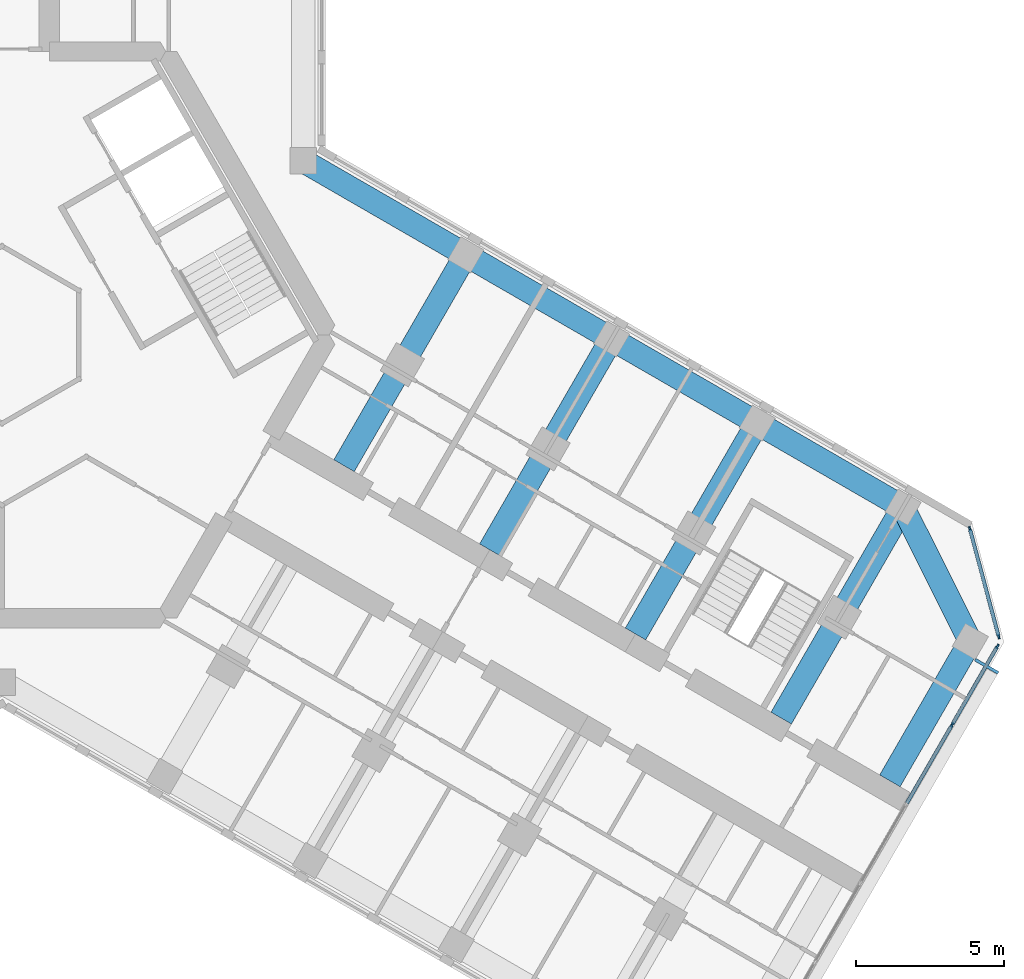
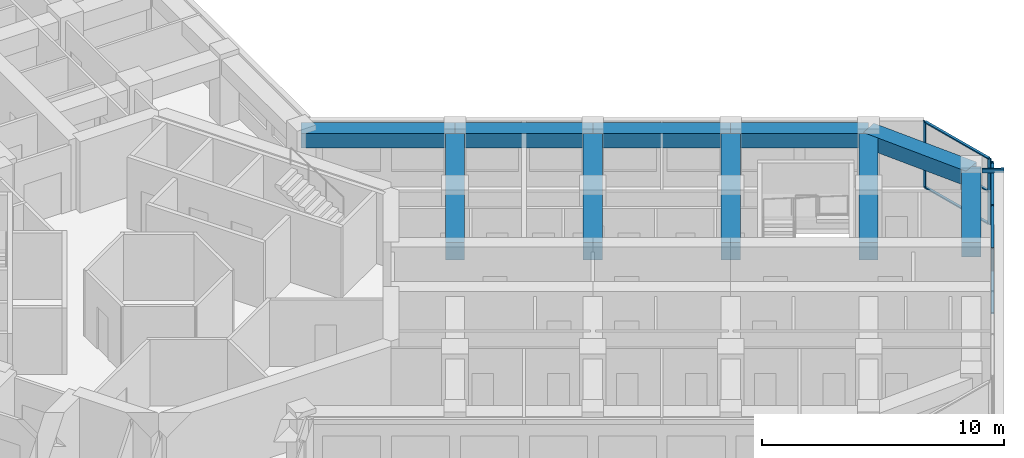
# One storey, part 5 of 17: 12 members, 10 beams, 2 elements without a shape of their own.
"""IFC4 building model written with IfcOpenShell, lengths in metres."""

from ifc_helpers import new_model, si_unit, direction, frame, origin, origin_2d, place, context, subcontext, project, spatial, rectangle, hollow_rectangle, extrude, material, material_profile, profile_set, type_object, element, aggregate, save


model = new_model("IFC4")

# Units and contexts
model_context = context("Model", 3, precision=1e-05, world=origin(), true_north=direction((0.0, 1.0)))
body_context = subcontext(model_context, "Body", "Model", "MODEL_VIEW")
ifc_project = project(units=[si_unit("LENGTHUNIT", "METRE"), si_unit("AREAUNIT", "SQUARE_METRE"), si_unit("VOLUMEUNIT", "CUBIC_METRE"), si_unit("PLANEANGLEUNIT", "RADIAN"), si_unit("MASSUNIT", "GRAM", prefix="KILO")], contexts=[model_context])

# Site, building, storey
site_placement = place(None, origin())
site = spatial("IfcSite", under=ifc_project, at=site_placement, CompositionType="ELEMENT")
building_placement = place(site_placement, origin())
building = spatial("IfcBuilding", under=site, at=building_placement, Name="Kosmar Iwan School Tower", CompositionType="ELEMENT")
storey_placement = place(building_placement, frame((0.0, 0.0, 193.800048828125)))
storey = spatial("IfcBuildingStorey", under=building, at=storey_placement, Name="L48", CompositionType="ELEMENT", Elevation=193.800048828125)

# Member
ifc_material_1 = material(Name="Steel S355", Category="steel")
ifc_material_profile_1 = material_profile(ifc_material_1, hollow_rectangle(XDim=0.10009765625, YDim=0.199951171875, WallThickness=0.008056640625, at=origin_2d()), Name="RHS 200x100x8")
ifc_profile_set_1 = profile_set([ifc_material_profile_1], Name="Steel S355")
member_type_1 = type_object("IfcMemberType", Name="Fin bracket RHS 200x100", PredefinedType="USERDEFINED", material=ifc_profile_set_1)
member_1_placement = place(storey_placement, frame((32.963134765625, -11.006103515625, 3.474853515625), z_axis=(0.866081705922, -0.499902469156, 0.0), x_axis=(0.499902469156, 0.866081705922, 0.0)))
element("IfcMember", 1, at=member_1_placement, inside=storey, type_object=member_type_1, Name="Fin bracket L49", ObjectType="FIN BRACKET", PredefinedType="USERDEFINED", context=body_context, shape_type="SweptSolid", body=[
    extrude(hollow_rectangle(XDim=0.10009765625, YDim=0.199951171875, WallThickness=0.008056640625, at=origin_2d()), origin(), (0.0, 0.0, 1.0), 0.900146484375),
])

# Curtain wall, members
ifc_material_2 = material(Name="Dark glass in black aluminium frame", Category="aluminium")
curtain_wall_type_1 = type_object("IfcCurtainWallType", Name="Tower curtain wall dark glass", PredefinedType="USERDEFINED", material=ifc_material_2)
curtain_wall_1_placement = place(storey_placement, origin())
curtain_wall_1 = element("IfcCurtainWall", 2, at=curtain_wall_1_placement, inside=storey, type_object=curtain_wall_type_1, Name="Curtain wall L48-F01", ObjectType="UNITISED CURTAIN WALL", PredefinedType="USERDEFINED")
ifc_material_3 = material(Name="Black anodised aluminium", Category="aluminium")
ifc_material_profile_2 = material_profile(ifc_material_3, rectangle(XDim=0.06005859375, YDim=0.159912109375, at=origin_2d()), Name="MULLION 60x160")
ifc_profile_set_2 = profile_set([ifc_material_profile_2], Name="Black anodised aluminium")
member_type_2 = type_object("IfcMemberType", Name="Mullion 60x160", PredefinedType="MULLION", material=ifc_profile_set_2)
member_2_placement = place(storey_placement, frame((32.1806640625, -13.21142578125, 0.0), z_axis=(0.0, 0.0, 1.0), x_axis=(-0.866025405329, 0.499999997325, 0.0)))
member_2 = element("IfcMember", 3, at=member_2_placement, type_object=member_type_2, Name="CW1 mullion 5", PredefinedType="MULLION", context=body_context, shape_type="SweptSolid", body=[
    extrude(rectangle(XDim=0.06005859375, YDim=0.159912109375, at=origin_2d()), origin(), (0.0, 0.0, 1.0), 3.349853515625),
])
member_3_placement = place(storey_placement, frame((33.71533203125, -10.55322265625, 0.0), z_axis=(0.0, 0.0, 1.0), x_axis=(-0.866025405329, 0.499999997325, 0.0)))
member_3 = element("IfcMember", 4, at=member_3_placement, type_object=member_type_2, Name="CW1 mullion 6", PredefinedType="MULLION", context=body_context, shape_type="SweptSolid", body=[
    extrude(rectangle(XDim=0.06005859375, YDim=0.159912109375, at=origin_2d()), origin(), (0.0, 0.0, 1.0), 3.349853515625),
])

ifc_material_4 = material(Name="Dark glass in black aluminium frame", Category="aluminium")
curtain_wall_type_2 = type_object("IfcCurtainWallType", Name="Chamfer curtain wall dark glass", PredefinedType="USERDEFINED", material=ifc_material_4)
curtain_wall_2_placement = place(storey_placement, origin())
curtain_wall_2 = element("IfcCurtainWall", 5, at=curtain_wall_2_placement, inside=storey, type_object=curtain_wall_type_2, Name="Curtain wall L48-F02", ObjectType="FACETED CURTAIN WALL", PredefinedType="USERDEFINED")
member_4_placement = place(storey_placement, frame((33.7587890625, -10.2236328125, 0.0), z_axis=(0.0, 0.0, 1.0), x_axis=(-0.965925875495, -0.258818861462, 0.0)))
member_4 = element("IfcMember", 6, at=member_4_placement, type_object=member_type_2, Name="CW2 mullion 1", PredefinedType="MULLION", context=body_context, shape_type="SweptSolid", body=[
    extrude(rectangle(XDim=0.06005859375, YDim=0.159912109375, at=origin_2d()), origin(), (0.0, 0.0, 1.0), 3.349853515625),
])
member_5_placement = place(storey_placement, frame((32.78076171875, -6.5732421875, 0.0), z_axis=(0.0, 0.0, 1.0), x_axis=(-0.965925875495, -0.258818861462, 0.0)))
member_5 = element("IfcMember", 7, at=member_5_placement, type_object=member_type_2, Name="CW2 mullion 2", PredefinedType="MULLION", context=body_context, shape_type="SweptSolid", body=[
    extrude(rectangle(XDim=0.06005859375, YDim=0.159912109375, at=origin_2d()), origin(), (0.0, 0.0, 1.0), 3.349853515625),
])

# Beams
ifc_material_5 = material(Name="Concrete C50/60", Category="concrete")
ifc_material_profile_3 = material_profile(ifc_material_5, rectangle(XDim=0.800048828125, YDim=0.75, at=origin_2d()), Name="RC 800x750")
ifc_profile_set_3 = profile_set([ifc_material_profile_3], Name="Concrete C50/60")
beam_type_1 = type_object("IfcBeamType", Name="RC edge beam 800x750", PredefinedType="BEAM", material=ifc_profile_set_3)
beam_1_placement = place(storey_placement, frame((10.199951171875, 5.888916015625, 2.974853515625), z_axis=(0.866030912664, -0.49999045822, 0.0), x_axis=(0.49999045822, 0.866030912664, 0.0)))
element("IfcBeam", 8, at=beam_1_placement, inside=storey, type_object=beam_type_1, Name="Edge beam CL1", PredefinedType="BEAM", context=body_context, shape_type="SweptSolid", body=[
    extrude(rectangle(XDim=0.800048828125, YDim=0.75, at=origin_2d()), origin(), (0.0, 0.0, 1.0), 6.36083984375),
])
beam_2_placement = place(storey_placement, frame((15.708740234375, 2.70849609375, 2.974853515625), z_axis=(0.866025820012, -0.499999279071, 0.0), x_axis=(0.499999279071, 0.866025820012, 0.0)))
element("IfcBeam", 9, at=beam_2_placement, inside=storey, type_object=beam_type_1, Name="Edge beam CL2", PredefinedType="BEAM", context=body_context, shape_type="SweptSolid", body=[
    extrude(rectangle(XDim=0.800048828125, YDim=0.75, at=origin_2d()), origin(), (0.0, 0.0, 1.0), 5.7001953125),
])
for number, where, z_axis, x_axis, name in (
    (10, (20.645263671875, -0.1416015625, 2.974853515625), (0.866033658841, -0.49998570155, 0.0), (0.49998570155, 0.866033658841, 0.0), "Edge beam CL3"),
    (11, (25.58154296875, -2.991455078125, 2.974853515625), (0.866015111908, -0.50001782563, 0.0), (0.50001782563, 0.866015111908, 0.0), "Edge beam CL4"),
):
    element("IfcBeam", number, at=place(storey_placement, frame(where, z_axis=z_axis, x_axis=x_axis)), inside=storey, type_object=beam_type_1, Name=name, PredefinedType="BEAM", context=body_context, shape_type="SweptSolid", body=[
        extrude(rectangle(XDim=0.800048828125, YDim=0.75, at=origin_2d()), origin(), (0.0, 0.0, 1.0), 5.699951171875),
    ])
ifc_material_6 = material(Name="Concrete C50/60", Category="concrete")
ifc_material_profile_4 = material_profile(ifc_material_6, rectangle(XDim=0.800048828125, YDim=0.75, at=origin_2d()), Name="RC 800x750")
ifc_profile_set_4 = profile_set([ifc_material_profile_4], Name="Concrete C50/60")
beam_type_2 = type_object("IfcBeamType", Name="RC tip beam 800x750", PredefinedType="BEAM", material=ifc_profile_set_4)
beam_3_placement = place(storey_placement, frame((30.517822265625, -5.841552734375, 2.974853515625), z_axis=(0.44809604203, -0.893985423325, 0.0), x_axis=(0.893985423325, 0.44809604203, 0.0)))
element("IfcBeam", 12, at=beam_3_placement, inside=storey, type_object=beam_type_2, Name="Tip beam CL", PredefinedType="BEAM", context=body_context, shape_type="SweptSolid", body=[
    extrude(rectangle(XDim=0.800048828125, YDim=0.75, at=origin_2d()), origin(), (0.0, 0.0, 1.0), 5.08935546875),
])
beam_4_placement = place(storey_placement, frame((32.79833984375, -10.391357421875, 2.974853515625), z_axis=(-0.49996933381, -0.866043108194, 0.0), x_axis=(0.866043108194, -0.49996933381, 0.0)))
element("IfcBeam", 13, at=beam_4_placement, inside=storey, type_object=beam_type_2, Name="Tip beam CL to corridor wall", PredefinedType="BEAM", context=body_context, shape_type="SweptSolid", body=[
    extrude(rectangle(XDim=0.800048828125, YDim=0.75, at=origin_2d()), origin(), (0.0, 0.0, 1.0), 5.449951171875),
])
ifc_material_7 = material(Name="Concrete C50/60", Category="concrete")
ifc_material_profile_5 = material_profile(ifc_material_7, rectangle(XDim=0.800048828125, YDim=0.89990234375, at=origin_2d()), Name="RC 800x900")
ifc_profile_set_5 = profile_set([ifc_material_profile_5], Name="Concrete C50/60")
beam_type_3 = type_object("IfcBeamType", Name="RC transverse beam 800x900", PredefinedType="BEAM", material=ifc_profile_set_5)
beam_5_placement = place(storey_placement, frame((15.708740234375, 2.70849609375, 2.89990234375), z_axis=(-0.499996545922, -0.866027397988, 0.0), x_axis=(0.866027397988, -0.499996545922, 0.0)))
element("IfcBeam", 14, at=beam_5_placement, inside=storey, type_object=beam_type_3, Name="Transverse beam CL1", PredefinedType="BEAM", context=body_context, shape_type="SweptSolid", body=[
    extrude(rectangle(XDim=0.800048828125, YDim=0.89990234375, at=origin_2d()), origin(), (0.0, 0.0, 1.0), 8.25),
])
beam_6_placement = place(storey_placement, frame((20.645263671875, -0.1416015625, 2.89990234375), z_axis=(-0.500009360108, -0.866019999656, 0.0), x_axis=(0.866019999656, -0.500009360108, 0.0)))
element("IfcBeam", 15, at=beam_6_placement, inside=storey, type_object=beam_type_3, Name="Transverse beam CL2", PredefinedType="BEAM", context=body_context, shape_type="SweptSolid", body=[
    extrude(rectangle(XDim=0.800048828125, YDim=0.89990234375, at=origin_2d()), origin(), (0.0, 0.0, 1.0), 8.249755859375),
])
for number, where, z_axis, x_axis, name in (
    (16, (25.58154296875, -2.991455078125, 2.89990234375), (-0.499996545922, -0.866027397988, 0.0), (0.866027397988, -0.499996545922, 0.0), "Transverse beam CL3"),
    (17, (30.517822265625, -5.841552734375, 2.89990234375), (-0.499996545922, -0.866027397988, 0.0), (0.866027397988, -0.499996545922, 0.0), "Transverse beam CL4"),
):
    element("IfcBeam", number, at=place(storey_placement, frame(where, z_axis=z_axis, x_axis=x_axis)), inside=storey, type_object=beam_type_3, Name=name, PredefinedType="BEAM", context=body_context, shape_type="SweptSolid", body=[
        extrude(rectangle(XDim=0.800048828125, YDim=0.89990234375, at=origin_2d()), origin(), (0.0, 0.0, 1.0), 8.25),
    ])

# Member
ifc_material_8 = material(Name="Black anodised aluminium", Category="aluminium")
ifc_material_profile_6 = material_profile(ifc_material_8, rectangle(XDim=0.1201171875, YDim=0.06005859375, at=origin_2d()), Name="TRANSOM 60x120")
ifc_profile_set_6 = profile_set([ifc_material_profile_6], Name="Black anodised aluminium")
member_type_3 = type_object("IfcMemberType", Name="Transom 60x120", PredefinedType="USERDEFINED", material=ifc_profile_set_6)
member_6_placement = place(storey_placement, frame((30.64599609375, -15.869384765625, 0.030029296875), z_axis=(0.500035348339, 0.866004994449, 0.0), x_axis=(-0.866004994449, 0.500035348339, 0.0)))
member_6 = element("IfcMember", 18, at=member_6_placement, type_object=member_type_3, Name="CW1 transom 4.1", ObjectType="TRANSOM", PredefinedType="USERDEFINED", context=body_context, shape_type="SweptSolid", body=[
    extrude(rectangle(XDim=0.1201171875, YDim=0.06005859375, at=origin_2d()), origin(), (0.0, 0.0, 1.0), 3.039306640625),
])

member_7_placement = place(storey_placement, frame((30.64599609375, -15.869384765625, 3.320068359375), z_axis=(0.500035348339, 0.866004994449, 0.0), x_axis=(-0.866004994449, 0.500035348339, 0.0)))
member_7 = element("IfcMember", 19, at=member_7_placement, type_object=member_type_3, Name="CW1 transom 4.2", ObjectType="TRANSOM", PredefinedType="USERDEFINED", context=body_context, shape_type="SweptSolid", body=[
    extrude(rectangle(XDim=0.1201171875, YDim=0.06005859375, at=origin_2d()), origin(), (0.0, 0.0, 1.0), 3.039306640625),
])

member_8_placement = place(storey_placement, frame((32.19580078125, -13.185302734375, 0.030029296875), z_axis=(0.500022102064, 0.866012642776, 0.0), x_axis=(-0.866012642776, 0.500022102064, 0.0)))
member_8 = element("IfcMember", 20, at=member_8_placement, type_object=member_type_3, Name="CW1 transom 5.1", ObjectType="TRANSOM", PredefinedType="USERDEFINED", context=body_context, shape_type="SweptSolid", body=[
    extrude(rectangle(XDim=0.1201171875, YDim=0.06005859375, at=origin_2d()), origin(), (0.0, 0.0, 1.0), 3.009033203125),
])

member_9_placement = place(storey_placement, frame((32.19580078125, -13.185302734375, 3.320068359375), z_axis=(0.500022102064, 0.866012642776, 0.0), x_axis=(-0.866012642776, 0.500022102064, 0.0)))
member_9 = element("IfcMember", 21, at=member_9_placement, type_object=member_type_3, Name="CW1 transom 5.2", ObjectType="TRANSOM", PredefinedType="USERDEFINED", context=body_context, shape_type="SweptSolid", body=[
    extrude(rectangle(XDim=0.1201171875, YDim=0.06005859375, at=origin_2d()), origin(), (0.0, 0.0, 1.0), 3.009033203125),
])

aggregate(curtain_wall_1, [member_2, member_3, member_6, member_7, member_8, member_9])

member_10_placement = place(storey_placement, frame((33.7509765625, -10.194580078125, 0.030029296875), z_axis=(-0.258843273983, 0.965919333854, 0.0), x_axis=(-0.965919333854, -0.258843273983, 0.0)))
member_10 = element("IfcMember", 22, at=member_10_placement, type_object=member_type_3, Name="CW2 transom 1.1", ObjectType="TRANSOM", PredefinedType="USERDEFINED", context=body_context, shape_type="SweptSolid", body=[
    extrude(rectangle(XDim=0.1201171875, YDim=0.06005859375, at=origin_2d()), origin(), (0.0, 0.0, 1.0), 3.718994140625),
])

member_11_placement = place(storey_placement, frame((33.7509765625, -10.194580078125, 1.675048828125), z_axis=(-0.258843273983, 0.965919333854, 0.0), x_axis=(-0.965919333854, -0.258843273983, 0.0)))
member_11 = element("IfcMember", 23, at=member_11_placement, type_object=member_type_3, Name="CW2 transom 1.2", ObjectType="TRANSOM", PredefinedType="USERDEFINED", context=body_context, shape_type="SweptSolid", body=[
    extrude(rectangle(XDim=0.1201171875, YDim=0.06005859375, at=origin_2d()), origin(), (0.0, 0.0, 1.0), 3.718994140625),
])

member_12_placement = place(storey_placement, frame((33.7509765625, -10.194580078125, 3.320068359375), z_axis=(-0.258843273983, 0.965919333854, 0.0), x_axis=(-0.965919333854, -0.258843273983, 0.0)))
member_12 = element("IfcMember", 24, at=member_12_placement, type_object=member_type_3, Name="CW2 transom 1.3", ObjectType="TRANSOM", PredefinedType="USERDEFINED", context=body_context, shape_type="SweptSolid", body=[
    extrude(rectangle(XDim=0.1201171875, YDim=0.06005859375, at=origin_2d()), origin(), (0.0, 0.0, 1.0), 3.718994140625),
])

aggregate(curtain_wall_2, [member_4, member_5, member_10, member_11, member_12])

save(model, "model.ifc")
